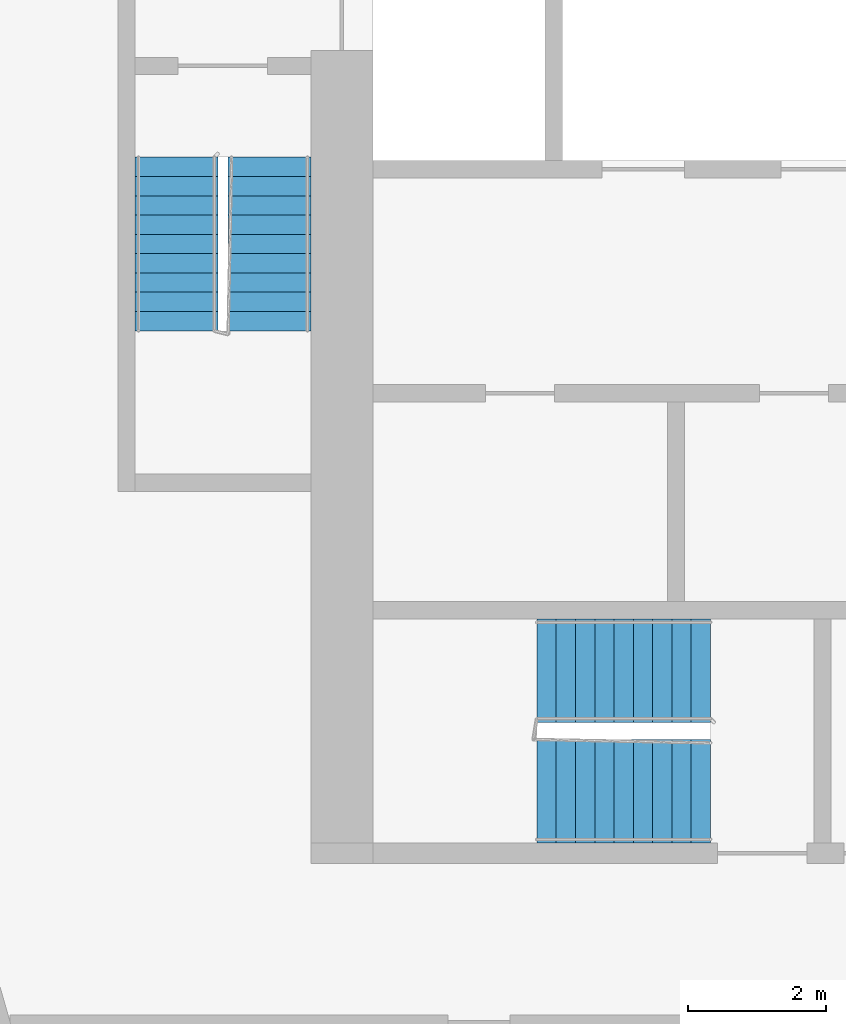
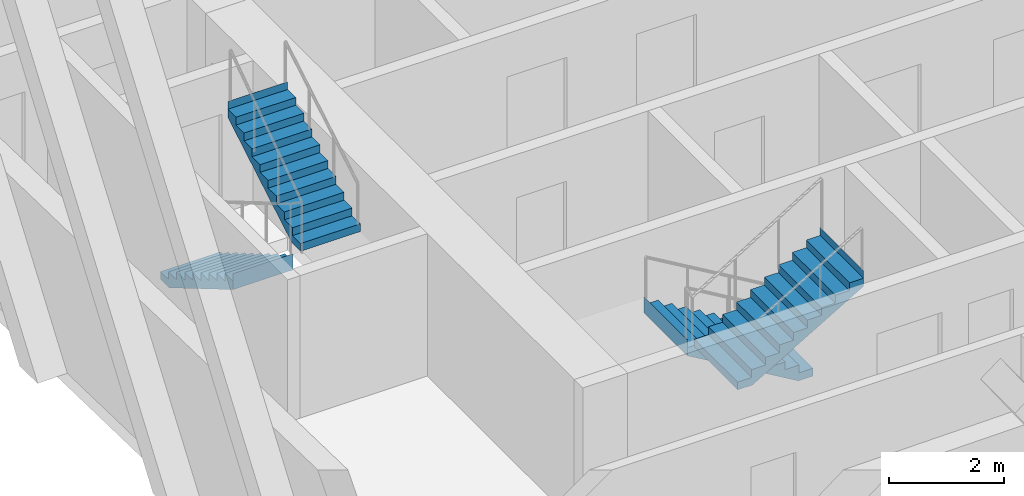
# One storey, part 9 of 13: 4 stair flights, 2 elements without a shape of their own.
"""IFC4 building model written with IfcOpenShell, lengths in metres."""

from ifc_helpers import new_model, si_unit, direction, frame, origin, place, context, subcontext, project, spatial, faceted_brep, material, type_object, element, aggregate, save


model = new_model("IFC4")

# Units and contexts
model_context = context("Model", 3, precision=1e-05, world=origin(), true_north=direction((0.0, 1.0)))
body_context = subcontext(model_context, "Body", "Model", "MODEL_VIEW")
ifc_project = project(units=[si_unit("LENGTHUNIT", "METRE"), si_unit("AREAUNIT", "SQUARE_METRE"), si_unit("VOLUMEUNIT", "CUBIC_METRE"), si_unit("PLANEANGLEUNIT", "RADIAN"), si_unit("MASSUNIT", "GRAM", prefix="KILO")], contexts=[model_context])

# Site, building, storey
site_placement = place(None, origin())
site = spatial("IfcSite", under=ifc_project, at=site_placement, CompositionType="ELEMENT")
building_placement = place(site_placement, origin())
building = spatial("IfcBuilding", under=site, at=building_placement, Name="Kajstack Hotel Tower", CompositionType="ELEMENT")
storey_placement = place(building_placement, frame((0.0, 0.0, 237.5)))
storey = spatial("IfcBuildingStorey", under=building, at=storey_placement, Name="L58", CompositionType="ELEMENT", Elevation=237.5)

# Stair, stair flights
ifc_material = material(Name="Concrete C40/50", Category="concrete")
stair_type_1 = type_object("IfcStairType", Name="Exit stair 1200", PredefinedType="HALF_TURN_STAIR", material=ifc_material)
stair_1_placement = place(storey_placement, origin())
stair_1 = element("IfcStair", 1, at=stair_1_placement, inside=storey, type_object=stair_type_1, Name="L58 stair W1", PredefinedType="HALF_TURN_STAIR")
stair_flight_type_1 = type_object("IfcStairFlightType", Name="Exit stair flight 1200", PredefinedType="STRAIGHT", material=ifc_material)
stair_flight_1_placement = place(storey_placement, frame((-33.449951171875, -5.25, 0.0), z_axis=(0.0, 0.0, 1.0), x_axis=(0.0, -1.0, 0.0)))
stair_flight_1 = element("IfcStairFlight", 2, at=stair_flight_1_placement, type_object=stair_flight_type_1, Name="W1 flight 1", NumberOfRisers=10, NumberOfTreads=9, PredefinedType="STRAIGHT", RiserHeight=0.165, TreadLength=0.28, context=body_context, shape_type="Brep", body=[
    faceted_brep([(0.295654296875, -0.60009765625, 0.0), (2.5205078125, -0.60009765625, 1.31103515625), (2.5205078125, -0.60009765625, 1.64990234375), (2.52001953125, -0.60009765625, 1.64990234375), (2.52001953125, -0.60009765625, 1.485107421875), (2.239990234375, -0.60009765625, 1.485107421875), (2.239990234375, -0.60009765625, 1.320068359375), (1.9599609375, -0.60009765625, 1.320068359375), (1.9599609375, -0.60009765625, 1.155029296875), (1.679931640625, -0.60009765625, 1.155029296875), (1.679931640625, -0.60009765625, 0.989990234375), (1.39990234375, -0.60009765625, 0.989990234375), (1.39990234375, -0.60009765625, 0.824951171875), (1.1201171875, -0.60009765625, 0.824951171875), (1.1201171875, -0.60009765625, 0.659912109375), (0.840087890625, -0.60009765625, 0.659912109375), (0.840087890625, -0.60009765625, 0.4951171875), (0.56005859375, -0.60009765625, 0.4951171875), (0.56005859375, -0.60009765625, 0.330078125), (0.280029296875, -0.60009765625, 0.330078125), (0.280029296875, -0.60009765625, 0.1650390625), (-0.00048828125, -0.60009765625, 0.1650390625), (-0.00048828125, -0.60009765625, 0.0), (-0.00048828125, 0.60009765625, 0.0), (-0.00048828125, 0.60009765625, 0.1650390625), (0.280029296875, 0.60009765625, 0.1650390625), (0.280029296875, 0.60009765625, 0.330078125), (0.56005859375, 0.60009765625, 0.330078125), (0.56005859375, 0.60009765625, 0.4951171875), (0.840087890625, 0.60009765625, 0.4951171875), (0.840087890625, 0.60009765625, 0.659912109375), (1.1201171875, 0.60009765625, 0.659912109375), (1.1201171875, 0.60009765625, 0.824951171875), (1.39990234375, 0.60009765625, 0.824951171875), (1.39990234375, 0.60009765625, 0.989990234375), (1.679931640625, 0.60009765625, 0.989990234375), (1.679931640625, 0.60009765625, 1.155029296875), (1.9599609375, 0.60009765625, 1.155029296875), (1.9599609375, 0.60009765625, 1.320068359375), (2.239990234375, 0.60009765625, 1.320068359375), (2.239990234375, 0.60009765625, 1.485107421875), (2.52001953125, 0.60009765625, 1.485107421875), (2.52001953125, 0.60009765625, 1.64990234375), (2.5205078125, 0.60009765625, 1.64990234375), (2.5205078125, 0.60009765625, 1.31103515625), (0.295654296875, 0.60009765625, 0.0), (-0.00048828125, -0.300048828125, 0.1650390625), (-0.00048828125, 0.0, 0.1650390625), (-0.00048828125, 0.300048828125, 0.1650390625), (-0.00048828125, 0.300048828125, 0.0), (-0.00048828125, 0.0, 0.0), (-0.00048828125, -0.300048828125, 0.0), (0.280029296875, -0.300048828125, 0.1650390625), (0.280029296875, 0.0, 0.1650390625), (0.280029296875, 0.300048828125, 0.1650390625), (0.280029296875, -0.300048828125, 0.330078125), (0.280029296875, 0.0, 0.330078125), (0.280029296875, 0.300048828125, 0.330078125), (0.56005859375, -0.300048828125, 0.330078125), (0.56005859375, 0.0, 0.330078125), (0.56005859375, 0.300048828125, 0.330078125), (0.56005859375, -0.300048828125, 0.4951171875), (0.56005859375, 0.0, 0.4951171875), (0.56005859375, 0.300048828125, 0.4951171875), (0.840087890625, -0.300048828125, 0.4951171875), (0.840087890625, 0.0, 0.4951171875), (0.840087890625, 0.300048828125, 0.4951171875), (0.840087890625, -0.300048828125, 0.659912109375), (0.840087890625, 0.0, 0.659912109375), (0.840087890625, 0.300048828125, 0.659912109375), (1.1201171875, -0.300048828125, 0.659912109375), (1.1201171875, 0.0, 0.659912109375), (1.1201171875, 0.300048828125, 0.659912109375), (1.1201171875, -0.300048828125, 0.824951171875), (1.1201171875, 0.0, 0.824951171875), (1.1201171875, 0.300048828125, 0.824951171875), (1.39990234375, -0.300048828125, 0.824951171875), (1.39990234375, 0.0, 0.824951171875), (1.39990234375, 0.300048828125, 0.824951171875), (1.39990234375, -0.300048828125, 0.989990234375), (1.39990234375, 0.0, 0.989990234375), (1.39990234375, 0.300048828125, 0.989990234375), (1.679931640625, -0.300048828125, 0.989990234375), (1.679931640625, 0.0, 0.989990234375), (1.679931640625, 0.300048828125, 0.989990234375), (1.679931640625, -0.300048828125, 1.155029296875), (1.679931640625, 0.0, 1.155029296875), (1.679931640625, 0.300048828125, 1.155029296875), (1.9599609375, -0.300048828125, 1.155029296875), (1.9599609375, 0.0, 1.155029296875), (1.9599609375, 0.300048828125, 1.155029296875), (1.9599609375, -0.300048828125, 1.320068359375), (1.9599609375, 0.0, 1.320068359375), (1.9599609375, 0.300048828125, 1.320068359375), (2.239990234375, -0.300048828125, 1.320068359375), (2.239990234375, 0.0, 1.320068359375), (2.239990234375, 0.300048828125, 1.320068359375), (2.239990234375, -0.300048828125, 1.485107421875), (2.239990234375, 0.0, 1.485107421875), (2.239990234375, 0.300048828125, 1.485107421875), (2.52001953125, -0.300048828125, 1.485107421875), (2.52001953125, 0.0, 1.485107421875), (2.52001953125, 0.300048828125, 1.485107421875), (2.52001953125, -0.300048828125, 1.64990234375), (2.52001953125, 0.0, 1.64990234375), (2.52001953125, 0.300048828125, 1.64990234375), (2.5205078125, -0.300048828125, 1.64990234375), (2.5205078125, 0.0, 1.64990234375), (2.5205078125, 0.300048828125, 1.64990234375), (2.5205078125, -0.300048828125, 1.31103515625), (2.5205078125, 0.0, 1.31103515625), (2.5205078125, 0.300048828125, 1.31103515625), (0.295654296875, -0.300048828125, 0.0), (0.295654296875, 0.0, 0.0), (0.295654296875, 0.300048828125, 0.0)], [[[0, 1, 2, 3, 4, 5, 6, 7, 8, 9, 10, 11, 12, 13, 14, 15, 16, 17, 18, 19, 20, 21, 22]], [[23, 24, 25, 26, 27, 28, 29, 30, 31, 32, 33, 34, 35, 36, 37, 38, 39, 40, 41, 42, 43, 44, 45]], [[21, 46, 47, 48, 24, 23, 49, 50, 51, 22]], [[20, 52, 53, 54, 25, 24, 48, 47, 46, 21]], [[19, 55, 56, 57, 26, 25, 54, 53, 52, 20]], [[18, 58, 59, 60, 27, 26, 57, 56, 55, 19]], [[17, 61, 62, 63, 28, 27, 60, 59, 58, 18]], [[16, 64, 65, 66, 29, 28, 63, 62, 61, 17]], [[15, 67, 68, 69, 30, 29, 66, 65, 64, 16]], [[14, 70, 71, 72, 31, 30, 69, 68, 67, 15]], [[13, 73, 74, 75, 32, 31, 72, 71, 70, 14]], [[12, 76, 77, 78, 33, 32, 75, 74, 73, 13]], [[11, 79, 80, 81, 34, 33, 78, 77, 76, 12]], [[10, 82, 83, 84, 35, 34, 81, 80, 79, 11]], [[9, 85, 86, 87, 36, 35, 84, 83, 82, 10]], [[8, 88, 89, 90, 37, 36, 87, 86, 85, 9]], [[7, 91, 92, 93, 38, 37, 90, 89, 88, 8]], [[6, 94, 95, 96, 39, 38, 93, 92, 91, 7]], [[5, 97, 98, 99, 40, 39, 96, 95, 94, 6]], [[4, 100, 101, 102, 41, 40, 99, 98, 97, 5]], [[3, 103, 104, 105, 42, 41, 102, 101, 100, 4]], [[2, 106, 107, 108, 43, 42, 105, 104, 103, 3]], [[1, 109, 110, 111, 44, 43, 108, 107, 106, 2]], [[0, 112, 113, 114, 45, 44, 111, 110, 109, 1]], [[22, 51, 50, 49, 23, 45, 114, 113, 112, 0]]]),
])
stair_flight_2_placement = place(storey_placement, frame((-32.10009765625, -7.77001953125, 1.64990234375), z_axis=(0.0, 0.0, 1.0), x_axis=(0.0, 1.0, 0.0)))
stair_flight_2 = element("IfcStairFlight", 3, at=stair_flight_2_placement, type_object=stair_flight_type_1, Name="W1 flight 2", NumberOfRisers=10, NumberOfTreads=9, PredefinedType="STRAIGHT", RiserHeight=0.165, TreadLength=0.28, context=body_context, shape_type="Brep", body=[
    faceted_brep([(0.295654296875, -0.60009765625, 0.0), (2.5205078125, -0.60009765625, 1.31103515625), (2.5205078125, -0.60009765625, 1.64990234375), (2.52001953125, -0.60009765625, 1.64990234375), (2.52001953125, -0.60009765625, 1.485107421875), (2.239990234375, -0.60009765625, 1.485107421875), (2.239990234375, -0.60009765625, 1.320068359375), (1.9599609375, -0.60009765625, 1.320068359375), (1.9599609375, -0.60009765625, 1.155029296875), (1.679931640625, -0.60009765625, 1.155029296875), (1.679931640625, -0.60009765625, 0.989990234375), (1.39990234375, -0.60009765625, 0.989990234375), (1.39990234375, -0.60009765625, 0.824951171875), (1.1201171875, -0.60009765625, 0.824951171875), (1.1201171875, -0.60009765625, 0.659912109375), (0.840087890625, -0.60009765625, 0.659912109375), (0.840087890625, -0.60009765625, 0.4951171875), (0.56005859375, -0.60009765625, 0.4951171875), (0.56005859375, -0.60009765625, 0.330078125), (0.280029296875, -0.60009765625, 0.330078125), (0.280029296875, -0.60009765625, 0.1650390625), (-0.00048828125, -0.60009765625, 0.1650390625), (-0.00048828125, -0.60009765625, 0.0), (-0.00048828125, 0.60009765625, 0.0), (-0.00048828125, 0.60009765625, 0.1650390625), (0.280029296875, 0.60009765625, 0.1650390625), (0.280029296875, 0.60009765625, 0.330078125), (0.56005859375, 0.60009765625, 0.330078125), (0.56005859375, 0.60009765625, 0.4951171875), (0.840087890625, 0.60009765625, 0.4951171875), (0.840087890625, 0.60009765625, 0.659912109375), (1.1201171875, 0.60009765625, 0.659912109375), (1.1201171875, 0.60009765625, 0.824951171875), (1.39990234375, 0.60009765625, 0.824951171875), (1.39990234375, 0.60009765625, 0.989990234375), (1.679931640625, 0.60009765625, 0.989990234375), (1.679931640625, 0.60009765625, 1.155029296875), (1.9599609375, 0.60009765625, 1.155029296875), (1.9599609375, 0.60009765625, 1.320068359375), (2.239990234375, 0.60009765625, 1.320068359375), (2.239990234375, 0.60009765625, 1.485107421875), (2.52001953125, 0.60009765625, 1.485107421875), (2.52001953125, 0.60009765625, 1.64990234375), (2.5205078125, 0.60009765625, 1.64990234375), (2.5205078125, 0.60009765625, 1.31103515625), (0.295654296875, 0.60009765625, 0.0), (-0.00048828125, -0.300048828125, 0.1650390625), (-0.00048828125, 0.0, 0.1650390625), (-0.00048828125, 0.300048828125, 0.1650390625), (-0.00048828125, 0.300048828125, 0.0), (-0.00048828125, 0.0, 0.0), (-0.00048828125, -0.300048828125, 0.0), (0.280029296875, -0.300048828125, 0.1650390625), (0.280029296875, 0.0, 0.1650390625), (0.280029296875, 0.300048828125, 0.1650390625), (0.280029296875, -0.300048828125, 0.330078125), (0.280029296875, 0.0, 0.330078125), (0.280029296875, 0.300048828125, 0.330078125), (0.56005859375, -0.300048828125, 0.330078125), (0.56005859375, 0.0, 0.330078125), (0.56005859375, 0.300048828125, 0.330078125), (0.56005859375, -0.300048828125, 0.4951171875), (0.56005859375, 0.0, 0.4951171875), (0.56005859375, 0.300048828125, 0.4951171875), (0.840087890625, -0.300048828125, 0.4951171875), (0.840087890625, 0.0, 0.4951171875), (0.840087890625, 0.300048828125, 0.4951171875), (0.840087890625, -0.300048828125, 0.659912109375), (0.840087890625, 0.0, 0.659912109375), (0.840087890625, 0.300048828125, 0.659912109375), (1.1201171875, -0.300048828125, 0.659912109375), (1.1201171875, 0.0, 0.659912109375), (1.1201171875, 0.300048828125, 0.659912109375), (1.1201171875, -0.300048828125, 0.824951171875), (1.1201171875, 0.0, 0.824951171875), (1.1201171875, 0.300048828125, 0.824951171875), (1.39990234375, -0.300048828125, 0.824951171875), (1.39990234375, 0.0, 0.824951171875), (1.39990234375, 0.300048828125, 0.824951171875), (1.39990234375, -0.300048828125, 0.989990234375), (1.39990234375, 0.0, 0.989990234375), (1.39990234375, 0.300048828125, 0.989990234375), (1.679931640625, -0.300048828125, 0.989990234375), (1.679931640625, 0.0, 0.989990234375), (1.679931640625, 0.300048828125, 0.989990234375), (1.679931640625, -0.300048828125, 1.155029296875), (1.679931640625, 0.0, 1.155029296875), (1.679931640625, 0.300048828125, 1.155029296875), (1.9599609375, -0.300048828125, 1.155029296875), (1.9599609375, 0.0, 1.155029296875), (1.9599609375, 0.300048828125, 1.155029296875), (1.9599609375, -0.300048828125, 1.320068359375), (1.9599609375, 0.0, 1.320068359375), (1.9599609375, 0.300048828125, 1.320068359375), (2.239990234375, -0.300048828125, 1.320068359375), (2.239990234375, 0.0, 1.320068359375), (2.239990234375, 0.300048828125, 1.320068359375), (2.239990234375, -0.300048828125, 1.485107421875), (2.239990234375, 0.0, 1.485107421875), (2.239990234375, 0.300048828125, 1.485107421875), (2.52001953125, -0.300048828125, 1.485107421875), (2.52001953125, 0.0, 1.485107421875), (2.52001953125, 0.300048828125, 1.485107421875), (2.52001953125, -0.300048828125, 1.64990234375), (2.52001953125, 0.0, 1.64990234375), (2.52001953125, 0.300048828125, 1.64990234375), (2.5205078125, -0.300048828125, 1.64990234375), (2.5205078125, 0.0, 1.64990234375), (2.5205078125, 0.300048828125, 1.64990234375), (2.5205078125, -0.300048828125, 1.31103515625), (2.5205078125, 0.0, 1.31103515625), (2.5205078125, 0.300048828125, 1.31103515625), (0.295654296875, -0.300048828125, 0.0), (0.295654296875, 0.0, 0.0), (0.295654296875, 0.300048828125, 0.0)], [[[0, 1, 2, 3, 4, 5, 6, 7, 8, 9, 10, 11, 12, 13, 14, 15, 16, 17, 18, 19, 20, 21, 22]], [[23, 24, 25, 26, 27, 28, 29, 30, 31, 32, 33, 34, 35, 36, 37, 38, 39, 40, 41, 42, 43, 44, 45]], [[21, 46, 47, 48, 24, 23, 49, 50, 51, 22]], [[20, 52, 53, 54, 25, 24, 48, 47, 46, 21]], [[19, 55, 56, 57, 26, 25, 54, 53, 52, 20]], [[18, 58, 59, 60, 27, 26, 57, 56, 55, 19]], [[17, 61, 62, 63, 28, 27, 60, 59, 58, 18]], [[16, 64, 65, 66, 29, 28, 63, 62, 61, 17]], [[15, 67, 68, 69, 30, 29, 66, 65, 64, 16]], [[14, 70, 71, 72, 31, 30, 69, 68, 67, 15]], [[13, 73, 74, 75, 32, 31, 72, 71, 70, 14]], [[12, 76, 77, 78, 33, 32, 75, 74, 73, 13]], [[11, 79, 80, 81, 34, 33, 78, 77, 76, 12]], [[10, 82, 83, 84, 35, 34, 81, 80, 79, 11]], [[9, 85, 86, 87, 36, 35, 84, 83, 82, 10]], [[8, 88, 89, 90, 37, 36, 87, 86, 85, 9]], [[7, 91, 92, 93, 38, 37, 90, 89, 88, 8]], [[6, 94, 95, 96, 39, 38, 93, 92, 91, 7]], [[5, 97, 98, 99, 40, 39, 96, 95, 94, 6]], [[4, 100, 101, 102, 41, 40, 99, 98, 97, 5]], [[3, 103, 104, 105, 42, 41, 102, 101, 100, 4]], [[2, 106, 107, 108, 43, 42, 105, 104, 103, 3]], [[1, 109, 110, 111, 44, 43, 108, 107, 106, 2]], [[0, 112, 113, 114, 45, 44, 111, 110, 109, 1]], [[22, 51, 50, 49, 23, 45, 114, 113, 112, 0]]]),
])
aggregate(stair_1, [stair_flight_1, stair_flight_2])

stair_type_2 = type_object("IfcStairType", Name="Exit stair 1500", PredefinedType="HALF_TURN_STAIR", material=ifc_material)
stair_2_placement = place(storey_placement, origin())
stair_2 = element("IfcStair", 4, at=stair_2_placement, inside=storey, type_object=stair_type_2, Name="L58 stair W3", PredefinedType="HALF_TURN_STAIR")
stair_flight_type_2 = type_object("IfcStairFlightType", Name="Exit stair flight 1500", PredefinedType="STRAIGHT", material=ifc_material)
stair_flight_3_placement = place(storey_placement, frame((-25.699951171875, -12.699951171875, 0.0), z_axis=(0.0, 0.0, 1.0), x_axis=(-1.0, 0.0, 0.0)))
stair_flight_3 = element("IfcStairFlight", 5, at=stair_flight_3_placement, type_object=stair_flight_type_2, Name="W3 flight 1", NumberOfRisers=10, NumberOfTreads=9, PredefinedType="STRAIGHT", RiserHeight=0.165, TreadLength=0.28, context=body_context, shape_type="Brep", body=[
    faceted_brep([(0.295654296875, -0.75, 0.0), (2.5205078125, -0.75, 1.31103515625), (2.5205078125, -0.75, 1.64990234375), (2.52001953125, -0.75, 1.64990234375), (2.52001953125, -0.75, 1.485107421875), (2.239990234375, -0.75, 1.485107421875), (2.239990234375, -0.75, 1.320068359375), (1.9599609375, -0.75, 1.320068359375), (1.9599609375, -0.75, 1.155029296875), (1.679931640625, -0.75, 1.155029296875), (1.679931640625, -0.75, 0.989990234375), (1.39990234375, -0.75, 0.989990234375), (1.39990234375, -0.75, 0.824951171875), (1.1201171875, -0.75, 0.824951171875), (1.1201171875, -0.75, 0.659912109375), (0.840087890625, -0.75, 0.659912109375), (0.840087890625, -0.75, 0.4951171875), (0.56005859375, -0.75, 0.4951171875), (0.56005859375, -0.75, 0.330078125), (0.280029296875, -0.75, 0.330078125), (0.280029296875, -0.75, 0.1650390625), (-0.00048828125, -0.75, 0.1650390625), (-0.00048828125, -0.75, 0.0), (-0.00048828125, 0.75, 0.0), (-0.00048828125, 0.75, 0.1650390625), (0.280029296875, 0.75, 0.1650390625), (0.280029296875, 0.75, 0.330078125), (0.56005859375, 0.75, 0.330078125), (0.56005859375, 0.75, 0.4951171875), (0.840087890625, 0.75, 0.4951171875), (0.840087890625, 0.75, 0.659912109375), (1.1201171875, 0.75, 0.659912109375), (1.1201171875, 0.75, 0.824951171875), (1.39990234375, 0.75, 0.824951171875), (1.39990234375, 0.75, 0.989990234375), (1.679931640625, 0.75, 0.989990234375), (1.679931640625, 0.75, 1.155029296875), (1.9599609375, 0.75, 1.155029296875), (1.9599609375, 0.75, 1.320068359375), (2.239990234375, 0.75, 1.320068359375), (2.239990234375, 0.75, 1.485107421875), (2.52001953125, 0.75, 1.485107421875), (2.52001953125, 0.75, 1.64990234375), (2.5205078125, 0.75, 1.64990234375), (2.5205078125, 0.75, 1.31103515625), (0.295654296875, 0.75, 0.0), (-0.00048828125, -0.375, 0.1650390625), (-0.00048828125, 0.0, 0.1650390625), (-0.00048828125, 0.375, 0.1650390625), (-0.00048828125, 0.375, 0.0), (-0.00048828125, 0.0, 0.0), (-0.00048828125, -0.375, 0.0), (0.280029296875, -0.375, 0.1650390625), (0.280029296875, 0.0, 0.1650390625), (0.280029296875, 0.375, 0.1650390625), (0.280029296875, -0.375, 0.330078125), (0.280029296875, 0.0, 0.330078125), (0.280029296875, 0.375, 0.330078125), (0.56005859375, -0.375, 0.330078125), (0.56005859375, 0.0, 0.330078125), (0.56005859375, 0.375, 0.330078125), (0.56005859375, -0.375, 0.4951171875), (0.56005859375, 0.0, 0.4951171875), (0.56005859375, 0.375, 0.4951171875), (0.840087890625, -0.375, 0.4951171875), (0.840087890625, 0.0, 0.4951171875), (0.840087890625, 0.375, 0.4951171875), (0.840087890625, -0.375, 0.659912109375), (0.840087890625, 0.0, 0.659912109375), (0.840087890625, 0.375, 0.659912109375), (1.1201171875, -0.375, 0.659912109375), (1.1201171875, 0.0, 0.659912109375), (1.1201171875, 0.375, 0.659912109375), (1.1201171875, -0.375, 0.824951171875), (1.1201171875, 0.0, 0.824951171875), (1.1201171875, 0.375, 0.824951171875), (1.39990234375, -0.375, 0.824951171875), (1.39990234375, 0.0, 0.824951171875), (1.39990234375, 0.375, 0.824951171875), (1.39990234375, -0.375, 0.989990234375), (1.39990234375, 0.0, 0.989990234375), (1.39990234375, 0.375, 0.989990234375), (1.679931640625, -0.375, 0.989990234375), (1.679931640625, 0.0, 0.989990234375), (1.679931640625, 0.375, 0.989990234375), (1.679931640625, -0.375, 1.155029296875), (1.679931640625, 0.0, 1.155029296875), (1.679931640625, 0.375, 1.155029296875), (1.9599609375, -0.375, 1.155029296875), (1.9599609375, 0.0, 1.155029296875), (1.9599609375, 0.375, 1.155029296875), (1.9599609375, -0.375, 1.320068359375), (1.9599609375, 0.0, 1.320068359375), (1.9599609375, 0.375, 1.320068359375), (2.239990234375, -0.375, 1.320068359375), (2.239990234375, 0.0, 1.320068359375), (2.239990234375, 0.375, 1.320068359375), (2.239990234375, -0.375, 1.485107421875), (2.239990234375, 0.0, 1.485107421875), (2.239990234375, 0.375, 1.485107421875), (2.52001953125, -0.375, 1.485107421875), (2.52001953125, 0.0, 1.485107421875), (2.52001953125, 0.375, 1.485107421875), (2.52001953125, -0.375, 1.64990234375), (2.52001953125, 0.0, 1.64990234375), (2.52001953125, 0.375, 1.64990234375), (2.5205078125, -0.375, 1.64990234375), (2.5205078125, 0.0, 1.64990234375), (2.5205078125, 0.375, 1.64990234375), (2.5205078125, -0.375, 1.31103515625), (2.5205078125, 0.0, 1.31103515625), (2.5205078125, 0.375, 1.31103515625), (0.295654296875, -0.375, 0.0), (0.295654296875, 0.0, 0.0), (0.295654296875, 0.375, 0.0)], [[[0, 1, 2, 3, 4, 5, 6, 7, 8, 9, 10, 11, 12, 13, 14, 15, 16, 17, 18, 19, 20, 21, 22]], [[23, 24, 25, 26, 27, 28, 29, 30, 31, 32, 33, 34, 35, 36, 37, 38, 39, 40, 41, 42, 43, 44, 45]], [[21, 46, 47, 48, 24, 23, 49, 50, 51, 22]], [[20, 52, 53, 54, 25, 24, 48, 47, 46, 21]], [[19, 55, 56, 57, 26, 25, 54, 53, 52, 20]], [[18, 58, 59, 60, 27, 26, 57, 56, 55, 19]], [[17, 61, 62, 63, 28, 27, 60, 59, 58, 18]], [[16, 64, 65, 66, 29, 28, 63, 62, 61, 17]], [[15, 67, 68, 69, 30, 29, 66, 65, 64, 16]], [[14, 70, 71, 72, 31, 30, 69, 68, 67, 15]], [[13, 73, 74, 75, 32, 31, 72, 71, 70, 14]], [[12, 76, 77, 78, 33, 32, 75, 74, 73, 13]], [[11, 79, 80, 81, 34, 33, 78, 77, 76, 12]], [[10, 82, 83, 84, 35, 34, 81, 80, 79, 11]], [[9, 85, 86, 87, 36, 35, 84, 83, 82, 10]], [[8, 88, 89, 90, 37, 36, 87, 86, 85, 9]], [[7, 91, 92, 93, 38, 37, 90, 89, 88, 8]], [[6, 94, 95, 96, 39, 38, 93, 92, 91, 7]], [[5, 97, 98, 99, 40, 39, 96, 95, 94, 6]], [[4, 100, 101, 102, 41, 40, 99, 98, 97, 5]], [[3, 103, 104, 105, 42, 41, 102, 101, 100, 4]], [[2, 106, 107, 108, 43, 42, 105, 104, 103, 3]], [[1, 109, 110, 111, 44, 43, 108, 107, 106, 2]], [[0, 112, 113, 114, 45, 44, 111, 110, 109, 1]], [[22, 51, 50, 49, 23, 45, 114, 113, 112, 0]]]),
])
stair_flight_4_placement = place(storey_placement, frame((-28.219970703125, -14.449951171875, 1.64990234375), z_axis=(0.0, 0.0, 1.0), x_axis=(1.0, 0.0, 0.0)))
stair_flight_4 = element("IfcStairFlight", 6, at=stair_flight_4_placement, type_object=stair_flight_type_2, Name="W3 flight 2", NumberOfRisers=10, NumberOfTreads=9, PredefinedType="STRAIGHT", RiserHeight=0.165, TreadLength=0.28, context=body_context, shape_type="Brep", body=[
    faceted_brep([(0.295654296875, -0.75, 0.0), (2.5205078125, -0.75, 1.31103515625), (2.5205078125, -0.75, 1.64990234375), (2.52001953125, -0.75, 1.64990234375), (2.52001953125, -0.75, 1.485107421875), (2.239990234375, -0.75, 1.485107421875), (2.239990234375, -0.75, 1.320068359375), (1.9599609375, -0.75, 1.320068359375), (1.9599609375, -0.75, 1.155029296875), (1.679931640625, -0.75, 1.155029296875), (1.679931640625, -0.75, 0.989990234375), (1.39990234375, -0.75, 0.989990234375), (1.39990234375, -0.75, 0.824951171875), (1.1201171875, -0.75, 0.824951171875), (1.1201171875, -0.75, 0.659912109375), (0.840087890625, -0.75, 0.659912109375), (0.840087890625, -0.75, 0.4951171875), (0.56005859375, -0.75, 0.4951171875), (0.56005859375, -0.75, 0.330078125), (0.280029296875, -0.75, 0.330078125), (0.280029296875, -0.75, 0.1650390625), (-0.00048828125, -0.75, 0.1650390625), (-0.00048828125, -0.75, 0.0), (-0.00048828125, 0.75, 0.0), (-0.00048828125, 0.75, 0.1650390625), (0.280029296875, 0.75, 0.1650390625), (0.280029296875, 0.75, 0.330078125), (0.56005859375, 0.75, 0.330078125), (0.56005859375, 0.75, 0.4951171875), (0.840087890625, 0.75, 0.4951171875), (0.840087890625, 0.75, 0.659912109375), (1.1201171875, 0.75, 0.659912109375), (1.1201171875, 0.75, 0.824951171875), (1.39990234375, 0.75, 0.824951171875), (1.39990234375, 0.75, 0.989990234375), (1.679931640625, 0.75, 0.989990234375), (1.679931640625, 0.75, 1.155029296875), (1.9599609375, 0.75, 1.155029296875), (1.9599609375, 0.75, 1.320068359375), (2.239990234375, 0.75, 1.320068359375), (2.239990234375, 0.75, 1.485107421875), (2.52001953125, 0.75, 1.485107421875), (2.52001953125, 0.75, 1.64990234375), (2.5205078125, 0.75, 1.64990234375), (2.5205078125, 0.75, 1.31103515625), (0.295654296875, 0.75, 0.0), (-0.00048828125, -0.375, 0.1650390625), (-0.00048828125, 0.0, 0.1650390625), (-0.00048828125, 0.375, 0.1650390625), (-0.00048828125, 0.375, 0.0), (-0.00048828125, 0.0, 0.0), (-0.00048828125, -0.375, 0.0), (0.280029296875, -0.375, 0.1650390625), (0.280029296875, 0.0, 0.1650390625), (0.280029296875, 0.375, 0.1650390625), (0.280029296875, -0.375, 0.330078125), (0.280029296875, 0.0, 0.330078125), (0.280029296875, 0.375, 0.330078125), (0.56005859375, -0.375, 0.330078125), (0.56005859375, 0.0, 0.330078125), (0.56005859375, 0.375, 0.330078125), (0.56005859375, -0.375, 0.4951171875), (0.56005859375, 0.0, 0.4951171875), (0.56005859375, 0.375, 0.4951171875), (0.840087890625, -0.375, 0.4951171875), (0.840087890625, 0.0, 0.4951171875), (0.840087890625, 0.375, 0.4951171875), (0.840087890625, -0.375, 0.659912109375), (0.840087890625, 0.0, 0.659912109375), (0.840087890625, 0.375, 0.659912109375), (1.1201171875, -0.375, 0.659912109375), (1.1201171875, 0.0, 0.659912109375), (1.1201171875, 0.375, 0.659912109375), (1.1201171875, -0.375, 0.824951171875), (1.1201171875, 0.0, 0.824951171875), (1.1201171875, 0.375, 0.824951171875), (1.39990234375, -0.375, 0.824951171875), (1.39990234375, 0.0, 0.824951171875), (1.39990234375, 0.375, 0.824951171875), (1.39990234375, -0.375, 0.989990234375), (1.39990234375, 0.0, 0.989990234375), (1.39990234375, 0.375, 0.989990234375), (1.679931640625, -0.375, 0.989990234375), (1.679931640625, 0.0, 0.989990234375), (1.679931640625, 0.375, 0.989990234375), (1.679931640625, -0.375, 1.155029296875), (1.679931640625, 0.0, 1.155029296875), (1.679931640625, 0.375, 1.155029296875), (1.9599609375, -0.375, 1.155029296875), (1.9599609375, 0.0, 1.155029296875), (1.9599609375, 0.375, 1.155029296875), (1.9599609375, -0.375, 1.320068359375), (1.9599609375, 0.0, 1.320068359375), (1.9599609375, 0.375, 1.320068359375), (2.239990234375, -0.375, 1.320068359375), (2.239990234375, 0.0, 1.320068359375), (2.239990234375, 0.375, 1.320068359375), (2.239990234375, -0.375, 1.485107421875), (2.239990234375, 0.0, 1.485107421875), (2.239990234375, 0.375, 1.485107421875), (2.52001953125, -0.375, 1.485107421875), (2.52001953125, 0.0, 1.485107421875), (2.52001953125, 0.375, 1.485107421875), (2.52001953125, -0.375, 1.64990234375), (2.52001953125, 0.0, 1.64990234375), (2.52001953125, 0.375, 1.64990234375), (2.5205078125, -0.375, 1.64990234375), (2.5205078125, 0.0, 1.64990234375), (2.5205078125, 0.375, 1.64990234375), (2.5205078125, -0.375, 1.31103515625), (2.5205078125, 0.0, 1.31103515625), (2.5205078125, 0.375, 1.31103515625), (0.295654296875, -0.375, 0.0), (0.295654296875, 0.0, 0.0), (0.295654296875, 0.375, 0.0)], [[[0, 1, 2, 3, 4, 5, 6, 7, 8, 9, 10, 11, 12, 13, 14, 15, 16, 17, 18, 19, 20, 21, 22]], [[23, 24, 25, 26, 27, 28, 29, 30, 31, 32, 33, 34, 35, 36, 37, 38, 39, 40, 41, 42, 43, 44, 45]], [[21, 46, 47, 48, 24, 23, 49, 50, 51, 22]], [[20, 52, 53, 54, 25, 24, 48, 47, 46, 21]], [[19, 55, 56, 57, 26, 25, 54, 53, 52, 20]], [[18, 58, 59, 60, 27, 26, 57, 56, 55, 19]], [[17, 61, 62, 63, 28, 27, 60, 59, 58, 18]], [[16, 64, 65, 66, 29, 28, 63, 62, 61, 17]], [[15, 67, 68, 69, 30, 29, 66, 65, 64, 16]], [[14, 70, 71, 72, 31, 30, 69, 68, 67, 15]], [[13, 73, 74, 75, 32, 31, 72, 71, 70, 14]], [[12, 76, 77, 78, 33, 32, 75, 74, 73, 13]], [[11, 79, 80, 81, 34, 33, 78, 77, 76, 12]], [[10, 82, 83, 84, 35, 34, 81, 80, 79, 11]], [[9, 85, 86, 87, 36, 35, 84, 83, 82, 10]], [[8, 88, 89, 90, 37, 36, 87, 86, 85, 9]], [[7, 91, 92, 93, 38, 37, 90, 89, 88, 8]], [[6, 94, 95, 96, 39, 38, 93, 92, 91, 7]], [[5, 97, 98, 99, 40, 39, 96, 95, 94, 6]], [[4, 100, 101, 102, 41, 40, 99, 98, 97, 5]], [[3, 103, 104, 105, 42, 41, 102, 101, 100, 4]], [[2, 106, 107, 108, 43, 42, 105, 104, 103, 3]], [[1, 109, 110, 111, 44, 43, 108, 107, 106, 2]], [[0, 112, 113, 114, 45, 44, 111, 110, 109, 1]], [[22, 51, 50, 49, 23, 45, 114, 113, 112, 0]]]),
])
aggregate(stair_2, [stair_flight_3, stair_flight_4])

save(model, "model.ifc")
